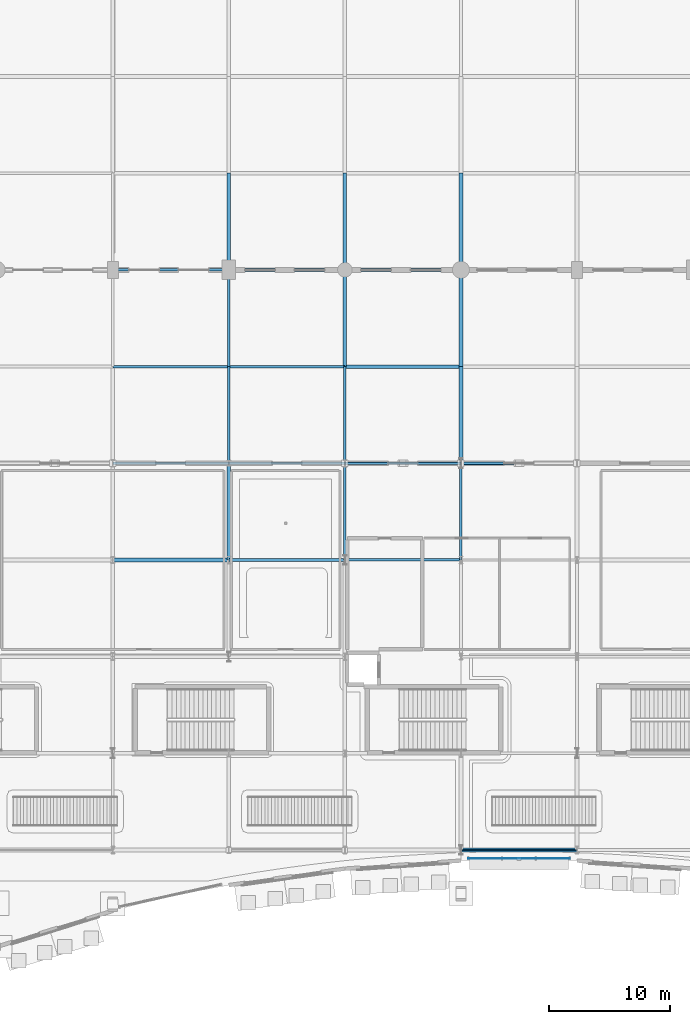
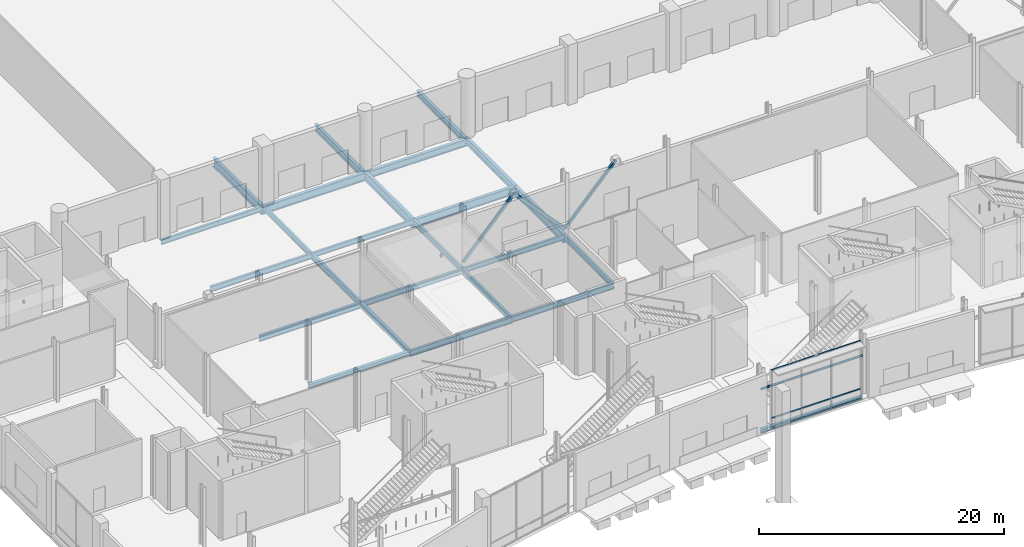
# One storey, part 38 of 124: 26 beams, 6 members, 1 element without a shape of its own.
"""IFC4 building model written with IfcOpenShell, lengths in metres."""

from ifc_helpers import new_model, si_unit, direction, frame, origin, origin_2d, place, context, subcontext, project, spatial, rectangle, hollow_rectangle, i_section, extrude, material, material_profile, profile_set, type_object, element, aggregate, save


model = new_model("IFC4")

# Units and contexts
model_context = context("Model", 3, precision=1e-05, world=origin(), true_north=direction((0.0, 1.0)))
body_context = subcontext(model_context, "Body", "Model", "MODEL_VIEW")
ifc_project = project(units=[si_unit("LENGTHUNIT", "METRE"), si_unit("AREAUNIT", "SQUARE_METRE"), si_unit("VOLUMEUNIT", "CUBIC_METRE"), si_unit("PLANEANGLEUNIT", "RADIAN"), si_unit("MASSUNIT", "GRAM", prefix="KILO")], contexts=[model_context])

# Site, building, storey
site_placement = place(None, origin())
site = spatial("IfcSite", under=ifc_project, at=site_placement, CompositionType="ELEMENT")
building_placement = place(site_placement, origin())
building = spatial("IfcBuilding", under=site, at=building_placement, Name="Danafjord Basin Convention Centre", CompositionType="ELEMENT")
storey_placement = place(building_placement, origin())
storey = spatial("IfcBuildingStorey", under=building, at=storey_placement, Name="L00", CompositionType="ELEMENT", Elevation=0.0)

# Beams
ifc_material_1 = material(Name="Steel S355", Category="steel")
ifc_material_profile_1 = material_profile(ifc_material_1, i_section(OverallWidth=0.300048828125, OverallDepth=0.389892578125, WebThickness=0.010986328125, FlangeThickness=0.01904296875, FilletRadius=0.027099609375, at=origin_2d()), Name="HEA 400")
ifc_profile_set_1 = profile_set([ifc_material_profile_1], Name="Steel S355")
beam_type_1 = type_object("IfcBeamType", Name="BEAM-BM-HEA400", PredefinedType="BEAM", material=ifc_profile_set_1)
for number, where, z_axis, x_axis, name in (
    (1, (28.800048828125, 32.0, -0.5048828125), (1.0, 0.0, 0.0), (0.0, 1.0, 0.0), "L00 girder BM-HEA400"),
    (2, (57.60009765625, 8.0, -0.5048828125), (1.0, 0.0, 0.0), (0.0, 1.0, 0.0), "L00 girder BM-HEA400"),
):
    element("IfcBeam", number, at=place(storey_placement, frame(where, z_axis=z_axis, x_axis=x_axis)), inside=storey, type_object=beam_type_1, Name=name, PredefinedType="BEAM", context=body_context, shape_type="SweptSolid", body=[
        extrude(i_section(OverallWidth=0.300048828125, OverallDepth=0.389892578125, WebThickness=0.010986328125, FlangeThickness=0.01904296875, FilletRadius=0.027099609375, at=origin_2d()), origin(), (0.0, 0.0, 1.0), 9.599853515625),
    ])
ifc_material_profile_2 = material_profile(ifc_material_1, i_section(OverallWidth=0.300048828125, OverallDepth=0.5, WebThickness=0.014404296875, FlangeThickness=0.028076171875, FilletRadius=0.027099609375, at=origin_2d()), Name="HEB 500")
ifc_profile_set_2 = profile_set([ifc_material_profile_2], Name="Steel S355")
beam_type_2 = type_object("IfcBeamType", Name="BEAM-BM-HEB500", PredefinedType="BEAM", material=ifc_profile_set_2)
beam_1_placement = place(storey_placement, frame((38.39990234375, 32.0, -0.56005859375), z_axis=(0.0, 1.0, 0.0), x_axis=(-1.0, 0.0, 0.0)))
element("IfcBeam", 3, at=beam_1_placement, inside=storey, type_object=beam_type_2, Name="L00 transverse girder BM-HEB500", PredefinedType="BEAM", context=body_context, shape_type="SweptSolid", body=[
    extrude(i_section(OverallWidth=0.300048828125, OverallDepth=0.5, WebThickness=0.014404296875, FlangeThickness=0.028076171875, FilletRadius=0.027099609375, at=origin_2d()), origin(), (0.0, 0.0, 1.0), 8.0),
])
ifc_material_profile_3 = material_profile(ifc_material_1, i_section(OverallWidth=0.300048828125, OverallDepth=0.60009765625, WebThickness=0.015380859375, FlangeThickness=0.030029296875, FilletRadius=0.027099609375, at=origin_2d()), Name="HEB 600")
ifc_profile_set_3 = profile_set([ifc_material_profile_3], Name="Steel S355")
beam_type_3 = type_object("IfcBeamType", Name="BEAM-BM-HEB600", PredefinedType="BEAM", material=ifc_profile_set_3)
beam_2_placement = place(storey_placement, frame((57.60009765625, 56.0, -0.75), z_axis=(0.0, 1.0, 0.0), x_axis=(-1.0, 0.0, 0.0)))
element("IfcBeam", 4, at=beam_2_placement, inside=storey, type_object=beam_type_3, Name="L00 transverse girder BM-HEB600", PredefinedType="BEAM", context=body_context, shape_type="SweptSolid", body=[
    extrude(i_section(OverallWidth=0.300048828125, OverallDepth=0.60009765625, WebThickness=0.015380859375, FlangeThickness=0.030029296875, FilletRadius=0.027099609375, at=origin_2d()), origin(), (0.0, 0.0, 1.0), 8.0),
])
ifc_material_profile_4 = material_profile(ifc_material_1, i_section(OverallWidth=0.300048828125, OverallDepth=0.699951171875, WebThickness=0.01708984375, FlangeThickness=0.031982421875, FilletRadius=0.027099609375, at=origin_2d()), Name="HEB 700")
ifc_profile_set_4 = profile_set([ifc_material_profile_4], Name="Steel S355")
beam_type_4 = type_object("IfcBeamType", Name="BEAM-BM-HEB700", PredefinedType="BEAM", material=ifc_profile_set_4)
beam_3_placement = place(storey_placement, frame((48.0, 56.0, -0.800048828125), z_axis=(1.0, 0.0, 0.0), x_axis=(0.0, 1.0, 0.0)))
element("IfcBeam", 5, at=beam_3_placement, inside=storey, type_object=beam_type_4, Name="L00 girder BM-HEB700", PredefinedType="BEAM", context=body_context, shape_type="SweptSolid", body=[
    extrude(i_section(OverallWidth=0.300048828125, OverallDepth=0.699951171875, WebThickness=0.01708984375, FlangeThickness=0.031982421875, FilletRadius=0.027099609375, at=origin_2d()), origin(), (0.0, 0.0, 1.0), 9.60009765625),
])
for number, where, z_axis, x_axis, name in (
    (6, (48.0, 56.0, -0.800048828125), (0.0, 1.0, 0.0), (-1.0, 0.0, 0.0), "L00 transverse girder BM-HEB700"),
    (7, (57.60009765625, 48.0, -0.6298828125), (0.0, 1.0, 0.0), (-1.0, 0.0, 0.0), "L00 transverse girder BM-HEB700"),
):
    element("IfcBeam", number, at=place(storey_placement, frame(where, z_axis=z_axis, x_axis=x_axis)), inside=storey, type_object=beam_type_4, Name=name, PredefinedType="BEAM", context=body_context, shape_type="SweptSolid", body=[
        extrude(i_section(OverallWidth=0.300048828125, OverallDepth=0.699951171875, WebThickness=0.01708984375, FlangeThickness=0.031982421875, FilletRadius=0.027099609375, at=origin_2d()), origin(), (0.0, 0.0, 1.0), 8.0),
    ])
ifc_material_profile_5 = material_profile(ifc_material_1, i_section(OverallWidth=0.300048828125, OverallDepth=0.800048828125, WebThickness=0.017578125, FlangeThickness=0.032958984375, FilletRadius=0.030029296875, at=origin_2d()), Name="HEB 800")
ifc_profile_set_5 = profile_set([ifc_material_profile_5], Name="Steel S355")
beam_type_5 = type_object("IfcBeamType", Name="BEAM-BM-HEB800", PredefinedType="BEAM", material=ifc_profile_set_5)
for number, where, z_axis, x_axis, name in (
    (8, (38.39990234375, 56.0, -0.85009765625), (1.0, 0.0, 0.0), (0.0, 1.0, 0.0), "L00 girder BM-HEB800"),
    (9, (48.0, 48.0, -0.679931640625), (1.0, 0.0, 0.0), (0.0, 1.0, 0.0), "L00 girder BM-HEB800"),
):
    element("IfcBeam", number, at=place(storey_placement, frame(where, z_axis=z_axis, x_axis=x_axis)), inside=storey, type_object=beam_type_5, Name=name, PredefinedType="BEAM", context=body_context, shape_type="SweptSolid", body=[
        extrude(i_section(OverallWidth=0.300048828125, OverallDepth=0.800048828125, WebThickness=0.017578125, FlangeThickness=0.032958984375, FilletRadius=0.030029296875, at=origin_2d()), origin(), (0.0, 0.0, 1.0), 9.60009765625),
    ])
ifc_material_profile_6 = material_profile(ifc_material_1, i_section(OverallWidth=0.300048828125, OverallDepth=0.89990234375, WebThickness=0.0185546875, FlangeThickness=0.034912109375, FilletRadius=0.030029296875, at=origin_2d()), Name="HEB 900")
ifc_profile_set_6 = profile_set([ifc_material_profile_6], Name="Steel S355")
beam_type_6 = type_object("IfcBeamType", Name="BEAM-BM-HEB900", PredefinedType="BEAM", material=ifc_profile_set_6)
for number, where, z_axis, x_axis, name in (
    (10, (38.39990234375, 56.0, -0.89990234375), (0.0, 1.0, 0.0), (-1.0, 0.0, 0.0), "L00 transverse girder BM-HEB900"),
    (11, (48.0, 48.0, -0.72998046875), (0.0, 1.0, 0.0), (-1.0, 0.0, 0.0), "L00 transverse girder BM-HEB900"),
    (12, (57.60009765625, 40.0, -0.72998046875), (0.0, 1.0, 0.0), (-1.0, 0.0, 0.0), "L00 transverse girder BM-HEB900"),
):
    element("IfcBeam", number, at=place(storey_placement, frame(where, z_axis=z_axis, x_axis=x_axis)), inside=storey, type_object=beam_type_6, Name=name, PredefinedType="BEAM", context=body_context, shape_type="SweptSolid", body=[
        extrude(i_section(OverallWidth=0.300048828125, OverallDepth=0.89990234375, WebThickness=0.0185546875, FlangeThickness=0.034912109375, FilletRadius=0.030029296875, at=origin_2d()), origin(), (0.0, 0.0, 1.0), 8.0),
    ])
ifc_material_profile_7 = material_profile(ifc_material_1, i_section(OverallWidth=0.199951171875, OverallDepth=0.5, WebThickness=0.01025390625, FlangeThickness=0.01611328125, FilletRadius=0.02099609375, at=origin_2d()), Name="IPE 500")
ifc_profile_set_7 = profile_set([ifc_material_profile_7], Name="Steel S355")
beam_type_7 = type_object("IfcBeamType", Name="BEAM-BM-IPE500", PredefinedType="BEAM", material=ifc_profile_set_7)
beam_4_placement = place(storey_placement, frame((28.800048828125, 56.0, -0.699951171875), z_axis=(1.0, 0.0, 0.0), x_axis=(0.0, 1.0, 0.0)))
element("IfcBeam", 13, at=beam_4_placement, inside=storey, type_object=beam_type_7, Name="L00 girder BM-IPE500", PredefinedType="BEAM", context=body_context, shape_type="SweptSolid", body=[
    extrude(i_section(OverallWidth=0.199951171875, OverallDepth=0.5, WebThickness=0.01025390625, FlangeThickness=0.01611328125, FilletRadius=0.02099609375, at=origin_2d()), origin(), (0.0, 0.0, 1.0), 9.599853515625),
])
for number, where, z_axis, x_axis, name in (
    (14, (38.39990234375, 48.0, -0.530029296875), (1.0, 0.0, 0.0), (0.0, 1.0, 0.0), "L00 girder BM-IPE500"),
    (15, (48.0, 40.0, -0.56005859375), (1.0, 0.0, 0.0), (0.0, 1.0, 0.0), "L00 girder BM-IPE500"),
):
    element("IfcBeam", number, at=place(storey_placement, frame(where, z_axis=z_axis, x_axis=x_axis)), inside=storey, type_object=beam_type_7, Name=name, PredefinedType="BEAM", context=body_context, shape_type="SweptSolid", body=[
        extrude(i_section(OverallWidth=0.199951171875, OverallDepth=0.5, WebThickness=0.01025390625, FlangeThickness=0.01611328125, FilletRadius=0.02099609375, at=origin_2d()), origin(), (0.0, 0.0, 1.0), 9.60009765625),
    ])
ifc_material_profile_8 = material_profile(ifc_material_1, i_section(OverallWidth=0.2099609375, OverallDepth=0.550048828125, WebThickness=0.010986328125, FlangeThickness=0.01708984375, FilletRadius=0.02392578125, at=origin_2d()), Name="IPE 550")
ifc_profile_set_8 = profile_set([ifc_material_profile_8], Name="Steel S355")
beam_type_8 = type_object("IfcBeamType", Name="BEAM-BM-IPE550", PredefinedType="BEAM", material=ifc_profile_set_8)
beam_5_placement = place(storey_placement, frame((28.800048828125, 48.0, -0.554931640625), z_axis=(1.0, 0.0, 0.0), x_axis=(0.0, 1.0, 0.0)))
element("IfcBeam", 16, at=beam_5_placement, inside=storey, type_object=beam_type_8, Name="L00 girder BM-IPE550", PredefinedType="BEAM", context=body_context, shape_type="SweptSolid", body=[
    extrude(i_section(OverallWidth=0.2099609375, OverallDepth=0.550048828125, WebThickness=0.010986328125, FlangeThickness=0.01708984375, FilletRadius=0.02392578125, at=origin_2d()), origin(), (0.0, 0.0, 1.0), 9.599853515625),
])
for number, where, z_axis, x_axis, name in (
    (17, (38.39990234375, 40.0, -0.5849609375), (1.0, 0.0, 0.0), (0.0, 1.0, 0.0), "L00 girder BM-IPE550"),
    (18, (48.0, 32.0, -0.5849609375), (1.0, 0.0, 0.0), (0.0, 1.0, 0.0), "L00 girder BM-IPE550"),
):
    element("IfcBeam", number, at=place(storey_placement, frame(where, z_axis=z_axis, x_axis=x_axis)), inside=storey, type_object=beam_type_8, Name=name, PredefinedType="BEAM", context=body_context, shape_type="SweptSolid", body=[
        extrude(i_section(OverallWidth=0.2099609375, OverallDepth=0.550048828125, WebThickness=0.010986328125, FlangeThickness=0.01708984375, FilletRadius=0.02392578125, at=origin_2d()), origin(), (0.0, 0.0, 1.0), 9.60009765625),
    ])
for number, where, z_axis, x_axis, name in (
    (19, (38.39990234375, 48.0, -0.554931640625), (0.0, 1.0, 0.0), (-1.0, 0.0, 0.0), "L00 transverse girder BM-IPE550"),
    (20, (48.0, 40.0, -0.554931640625), (0.0, 1.0, 0.0), (-1.0, 0.0, 0.0), "L00 transverse girder BM-IPE550"),
    (21, (57.60009765625, 32.0, -0.5849609375), (0.0, 1.0, 0.0), (-1.0, 0.0, 0.0), "L00 transverse girder BM-IPE550"),
):
    element("IfcBeam", number, at=place(storey_placement, frame(where, z_axis=z_axis, x_axis=x_axis)), inside=storey, type_object=beam_type_8, Name=name, PredefinedType="BEAM", context=body_context, shape_type="SweptSolid", body=[
        extrude(i_section(OverallWidth=0.2099609375, OverallDepth=0.550048828125, WebThickness=0.010986328125, FlangeThickness=0.01708984375, FilletRadius=0.02392578125, at=origin_2d()), origin(), (0.0, 0.0, 1.0), 8.0),
    ])
ifc_material_profile_9 = material_profile(ifc_material_1, i_section(OverallWidth=0.219970703125, OverallDepth=0.60009765625, WebThickness=0.011962890625, FlangeThickness=0.01904296875, FilletRadius=0.02392578125, at=origin_2d()), Name="IPE 600")
ifc_profile_set_9 = profile_set([ifc_material_profile_9], Name="Steel S355")
beam_type_9 = type_object("IfcBeamType", Name="BEAM-BM-IPE600", PredefinedType="BEAM", material=ifc_profile_set_9)
beam_6_placement = place(storey_placement, frame((28.800048828125, 40.0, -0.610107421875), z_axis=(1.0, 0.0, 0.0), x_axis=(0.0, 1.0, 0.0)))
element("IfcBeam", 22, at=beam_6_placement, inside=storey, type_object=beam_type_9, Name="L00 girder BM-IPE600", PredefinedType="BEAM", context=body_context, shape_type="SweptSolid", body=[
    extrude(i_section(OverallWidth=0.219970703125, OverallDepth=0.60009765625, WebThickness=0.011962890625, FlangeThickness=0.01904296875, FilletRadius=0.02392578125, at=origin_2d()), origin(), (0.0, 0.0, 1.0), 9.599853515625),
])
beam_7_placement = place(storey_placement, frame((38.39990234375, 32.0, -0.610107421875), z_axis=(1.0, 0.0, 0.0), x_axis=(0.0, 1.0, 0.0)))
element("IfcBeam", 23, at=beam_7_placement, inside=storey, type_object=beam_type_9, Name="L00 girder BM-IPE600", PredefinedType="BEAM", context=body_context, shape_type="SweptSolid", body=[
    extrude(i_section(OverallWidth=0.219970703125, OverallDepth=0.60009765625, WebThickness=0.011962890625, FlangeThickness=0.01904296875, FilletRadius=0.02392578125, at=origin_2d()), origin(), (0.0, 0.0, 1.0), 9.60009765625),
])
for number, where, z_axis, x_axis, name in (
    (24, (38.39990234375, 40.0, -0.580078125), (0.0, 1.0, 0.0), (-1.0, 0.0, 0.0), "L00 transverse girder BM-IPE600"),
    (25, (48.0, 32.0, -0.610107421875), (0.0, 1.0, 0.0), (-1.0, 0.0, 0.0), "L00 transverse girder BM-IPE600"),
):
    element("IfcBeam", number, at=place(storey_placement, frame(where, z_axis=z_axis, x_axis=x_axis)), inside=storey, type_object=beam_type_9, Name=name, PredefinedType="BEAM", context=body_context, shape_type="SweptSolid", body=[
        extrude(i_section(OverallWidth=0.219970703125, OverallDepth=0.60009765625, WebThickness=0.011962890625, FlangeThickness=0.01904296875, FilletRadius=0.02392578125, at=origin_2d()), origin(), (0.0, 0.0, 1.0), 8.0),
    ])
ifc_material_profile_10 = material_profile(ifc_material_1, i_section(OverallWidth=0.10009765625, OverallDepth=0.199951171875, WebThickness=0.005615234375, FlangeThickness=0.008544921875, FilletRadius=0.011962890625, at=origin_2d()), Name="IPE 200")
ifc_profile_set_10 = profile_set([ifc_material_profile_10], Name="Steel S355")
beam_type_10 = type_object("IfcBeamType", Name="BEAM-LN-IPE200", PredefinedType="LINTEL", material=ifc_profile_set_10)
beam_8_placement = place(storey_placement, frame((57.60009765625, 8.0, 3.64990234375), z_axis=(1.0, 0.0, 0.0), x_axis=(0.0, 1.0, 0.0)))
element("IfcBeam", 26, at=beam_8_placement, inside=storey, type_object=beam_type_10, Name="L00 structural portal lintel LN-IPE200", PredefinedType="LINTEL", context=body_context, shape_type="SweptSolid", body=[
    extrude(i_section(OverallWidth=0.10009765625, OverallDepth=0.199951171875, WebThickness=0.005615234375, FlangeThickness=0.008544921875, FilletRadius=0.011962890625, at=origin_2d()), origin(), (0.0, 0.0, 1.0), 9.599853515625),
])

# Members
ifc_material_profile_11 = material_profile(ifc_material_1, hollow_rectangle(XDim=0.199951171875, YDim=0.300048828125, WallThickness=0.012451171875, InnerFilletRadius=0.018798828125, OuterFilletRadius=0.03125, at=origin_2d()), Name="RHS 300x200x12.5")
ifc_profile_set_11 = profile_set([ifc_material_profile_11], Name="Steel S355")
member_type_1 = type_object("IfcMemberType", Name="MEM-BRR-300", PredefinedType="BRACE", material=ifc_profile_set_11)
for number, where, z_axis, x_axis, name in (
    (27, (48.0, 40.0, 0.25), (0.681822621397, 0.0, 0.73151754111), (0.0, 1.0, 0.0), "Diagonal brace BRR-300 (L00 braced frame BF-05 diagonal A)"),
    (28, (57.60009765625, 40.0, 0.25), (-0.681822621397, 0.0, 0.73151754111), (0.0, -1.0, 0.0), "Diagonal brace BRR-300 (L00 braced frame BF-05 diagonal B)"),
):
    element("IfcMember", number, at=place(storey_placement, frame(where, z_axis=z_axis, x_axis=x_axis)), inside=storey, type_object=member_type_1, Name=name, PredefinedType="BRACE", context=body_context, shape_type="SweptSolid", body=[
        extrude(hollow_rectangle(XDim=0.199951171875, YDim=0.300048828125, WallThickness=0.012451171875, InnerFilletRadius=0.018798828125, OuterFilletRadius=0.03125, at=origin_2d()), origin(), (0.0, 0.0, 1.0), 7.0400390625),
    ])
ifc_material_profile_12 = material_profile(ifc_material_1, hollow_rectangle(XDim=0.25, YDim=0.25, WallThickness=0.012451171875, InnerFilletRadius=0.018798828125, OuterFilletRadius=0.03125, at=origin_2d()), Name="SHS 250x250x12.5")
ifc_profile_set_12 = profile_set([ifc_material_profile_12], Name="Steel S355")
member_type_2 = type_object("IfcMemberType", Name="MEM-BRS-250", PredefinedType="BRACE", material=ifc_profile_set_12)
member_1_placement = place(storey_placement, frame((57.60009765625, 40.0, 0.25), z_axis=(0.681804063418, 0.0, 0.731534837931), x_axis=(0.0, 1.0, 0.0)))
element("IfcMember", 29, at=member_1_placement, inside=storey, type_object=member_type_2, Name="Diagonal brace BRS-250 (L00 braced frame BF-06 diagonal A)", PredefinedType="BRACE", context=body_context, shape_type="SweptSolid", body=[
    extrude(hollow_rectangle(XDim=0.25, YDim=0.25, WallThickness=0.012451171875, InnerFilletRadius=0.018798828125, OuterFilletRadius=0.03125, at=origin_2d()), origin(), (0.0, 0.0, 1.0), 7.039794921875),
])

# Curtain wall, members
ifc_material_2 = material(Name="Anodised aluminium and triple glazing", Category="aluminium")
curtain_wall_type = type_object("IfcCurtainWallType", Name="CW-CW-HARB", PredefinedType="NOTDEFINED", material=ifc_material_2)
curtain_wall_placement = place(storey_placement, origin())
curtain_wall = element("IfcCurtainWall", 30, at=curtain_wall_placement, inside=storey, type_object=curtain_wall_type, Name="L00 CW-HARB unitised curtain wall bay 13", PredefinedType="NOTDEFINED")
ifc_material_3 = material(Name="Anodised aluminium EN AW-6060", Category="aluminium")
ifc_material_profile_13 = material_profile(ifc_material_3, rectangle(XDim=0.06005859375, YDim=0.14990234375, at=origin_2d()), Name="TRAN 60x150")
ifc_profile_set_13 = profile_set([ifc_material_profile_13], Name="Anodised aluminium EN AW-6060")
member_type_3 = type_object("IfcMemberType", Name="MEM-TR-150", PredefinedType="USERDEFINED", material=ifc_profile_set_13)
member_2_placement = place(storey_placement, frame((58.199951171875, 7.300048828125, 0.06005859375), z_axis=(1.0, 0.0, 0.0), x_axis=(0.0, 1.0, 0.0)))
member_2 = element("IfcMember", 31, at=member_2_placement, type_object=member_type_3, Name="CW-L00-013 transom 1", ObjectType="TRANSOM", PredefinedType="USERDEFINED", context=body_context, shape_type="SweptSolid", body=[
    extrude(rectangle(XDim=0.06005859375, YDim=0.14990234375, at=origin_2d()), origin(), (0.0, 0.0, 1.0), 8.400146484375),
])
member_3_placement = place(storey_placement, frame((58.199951171875, 7.300048828125, 0.949951171875), z_axis=(1.0, 0.0, 0.0), x_axis=(0.0, 1.0, 0.0)))
member_3 = element("IfcMember", 32, at=member_3_placement, type_object=member_type_3, Name="CW-L00-013 transom 2", ObjectType="TRANSOM", PredefinedType="USERDEFINED", context=body_context, shape_type="SweptSolid", body=[
    extrude(rectangle(XDim=0.06005859375, YDim=0.14990234375, at=origin_2d()), origin(), (0.0, 0.0, 1.0), 8.400146484375),
])
member_4_placement = place(storey_placement, frame((58.199951171875, 7.300048828125, 5.7099609375), z_axis=(1.0, 0.0, 0.0), x_axis=(0.0, 1.0, 0.0)))
member_4 = element("IfcMember", 33, at=member_4_placement, type_object=member_type_3, Name="CW-L00-013 transom 3", ObjectType="TRANSOM", PredefinedType="USERDEFINED", context=body_context, shape_type="SweptSolid", body=[
    extrude(rectangle(XDim=0.06005859375, YDim=0.14990234375, at=origin_2d()), origin(), (0.0, 0.0, 1.0), 8.400146484375),
])
aggregate(curtain_wall, [member_2, member_3, member_4])

save(model, "model.ifc")
